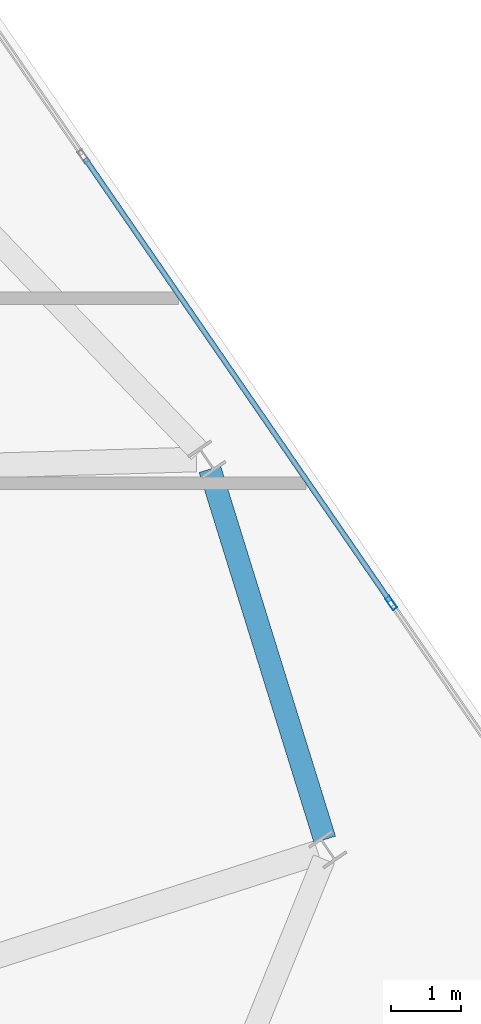
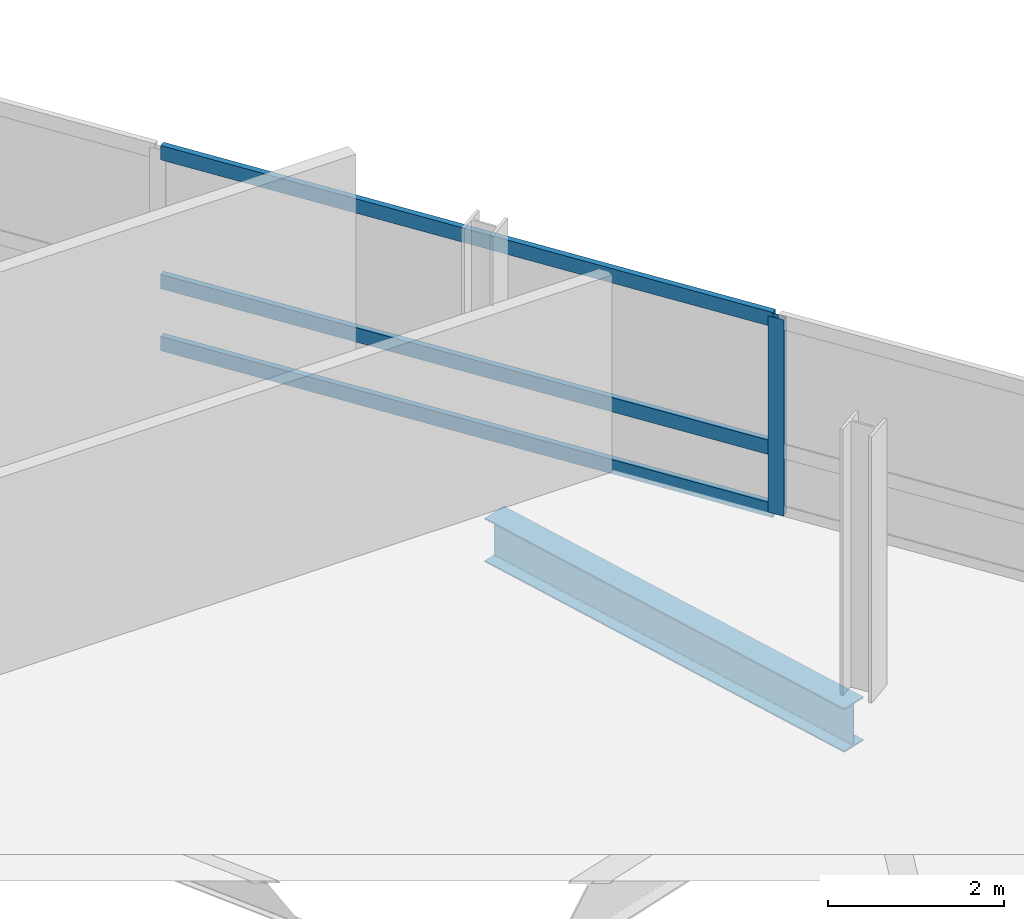
# One storey, part 13 of 23: 4 members, 1 beam, 1 element without a shape of its own.
"""IFC4 building model written with IfcOpenShell, lengths in metres."""

from ifc_helpers import new_model, si_unit, direction, frame, origin, origin_2d, place, context, subcontext, project, spatial, hollow_rectangle, i_section, extrude, material, layer, layer_set, material_profile, profile_set, type_object, element, aggregate, save


model = new_model("IFC4")

# Units and contexts
model_context = context("Model", 3, precision=1e-05, world=origin(), true_north=direction((0.0, 1.0)))
body_context = subcontext(model_context, "Body", "Model", "MODEL_VIEW")
ifc_project = project(units=[si_unit("LENGTHUNIT", "METRE"), si_unit("AREAUNIT", "SQUARE_METRE"), si_unit("VOLUMEUNIT", "CUBIC_METRE"), si_unit("PLANEANGLEUNIT", "RADIAN"), si_unit("MASSUNIT", "GRAM", prefix="KILO")], contexts=[model_context])

# Site, building, storey
site_placement = place(None, origin())
site = spatial("IfcSite", under=ifc_project, at=site_placement, CompositionType="ELEMENT")
building_placement = place(site_placement, origin())
building = spatial("IfcBuilding", under=site, at=building_placement, Name="Varnelok Gate Tower", CompositionType="ELEMENT")
storey_placement = place(building_placement, frame((0.0, 0.0, 273.0)))
storey = spatial("IfcBuildingStorey", under=building, at=storey_placement, Name="L70", CompositionType="ELEMENT", Elevation=273.0)

# Beam
ifc_material_1 = material(Name="Structural Steel ASTM A992 Grade 50", Category="steel")
ifc_material_profile_1 = material_profile(ifc_material_1, i_section(OverallWidth=0.323974609375, OverallDepth=0.611083984375, WebThickness=0.0126953125, FlangeThickness=0.01904296875, FilletRadius=0.01806640625, at=origin_2d()), Name="W24X104")
ifc_profile_set_1 = profile_set([ifc_material_profile_1], Name="Structural Steel ASTM A992 Grade 50")
beam_type = type_object("IfcBeamType", Name="BM-SPN-W24X104", PredefinedType="SPANDREL", material=ifc_profile_set_1)
beam_placement = place(storey_placement, frame((69.8125, 34.1748046875, -0.555419921875), z_axis=(-0.296340003452, 0.955082510757, 0.0), x_axis=(-0.955082510757, -0.296340003452, 0.0)))
element("IfcBeam", 1, at=beam_placement, inside=storey, type_object=beam_type, Name="L70 Perimeter Spandrel Beam 6", PredefinedType="SPANDREL", context=body_context, shape_type="SweptSolid", body=[
    extrude(i_section(OverallWidth=0.323974609375, OverallDepth=0.611083984375, WebThickness=0.0126953125, FlangeThickness=0.01904296875, FilletRadius=0.01806640625, at=origin_2d()), origin(), (0.0, 0.0, 1.0), 5.57666015625),
])

# Curtain wall, members
ifc_material_2 = material(Name="Anodized Aluminum Alloy 6063-T6", Category="aluminium")
ifc_layer = layer(ifc_material_2, 0.179931640625)
ifc_layer_set = layer_set([ifc_layer], Name="Anodized Aluminum Alloy 6063-T6")
curtain_wall_type = type_object("IfcCurtainWallType", Name="CW4-RESIDENCE-VISION", PredefinedType="USERDEFINED", material=ifc_layer_set)
curtain_wall_placement = place(storey_placement, origin())
curtain_wall = element("IfcCurtainWall", 2, at=curtain_wall_placement, inside=storey, type_object=curtain_wall_type, Name="L70 East End Vision Curtain Wall", ObjectType="UNITISED CURTAIN WALL", PredefinedType="USERDEFINED")
ifc_material_profile_2 = material_profile(ifc_material_2, hollow_rectangle(XDim=0.074951171875, YDim=0.199951171875, WallThickness=0.00390625, at=origin_2d()), Name="ALU200X75X4")
ifc_profile_set_2 = profile_set([ifc_material_profile_2], Name="Anodized Aluminum Alloy 6063-T6")
member_type_1 = type_object("IfcMemberType", Name="CW-MULL-200", PredefinedType="MULLION", material=ifc_profile_set_2)
member_1_placement = place(storey_placement, frame((70.768310546875, 37.57373046875, 0.0), z_axis=(0.0, 0.0, 1.0), x_axis=(0.823532290241, 0.567269395376, 0.0)))
member_1 = element("IfcMember", 3, at=member_1_placement, type_object=member_type_1, Name="CW4 mullion 4", PredefinedType="MULLION", context=body_context, shape_type="SweptSolid", body=[
    extrude(hollow_rectangle(XDim=0.074951171875, YDim=0.199951171875, WallThickness=0.00390625, at=origin_2d()), origin(), (0.0, 0.0, 1.0), 2.72998046875),
])
ifc_material_profile_3 = material_profile(ifc_material_2, hollow_rectangle(XDim=0.074951171875, YDim=0.199951171875, WallThickness=0.00390625, at=origin_2d()), Name="ALU200X75X4")
ifc_profile_set_3 = profile_set([ifc_material_profile_3], Name="Anodized Aluminum Alloy 6063-T6")
member_type_2 = type_object("IfcMemberType", Name="CW-TRAN-200", PredefinedType="USERDEFINED", material=ifc_profile_set_3)
member_2_placement = place(storey_placement, frame((66.364990234375, 43.96630859375, 0.03759765625), z_axis=(0.567260941086, -0.823538113701, 0.0), x_axis=(0.823538113701, 0.567260941086, 0.0)))
member_2 = element("IfcMember", 4, at=member_2_placement, type_object=member_type_2, Name="CW4 transom 3.1", ObjectType="TRANSOM", PredefinedType="USERDEFINED", context=body_context, shape_type="SweptSolid", body=[
    extrude(hollow_rectangle(XDim=0.074951171875, YDim=0.199951171875, WallThickness=0.00390625, at=origin_2d()), origin(), (0.0, 0.0, 1.0), 7.72509765625),
])
member_3_placement = place(storey_placement, frame((66.364990234375, 43.96630859375, 0.89990234375), z_axis=(0.567260941086, -0.823538113701, 0.0), x_axis=(0.823538113701, 0.567260941086, 0.0)))
member_3 = element("IfcMember", 5, at=member_3_placement, type_object=member_type_2, Name="CW4 transom 3.2", ObjectType="TRANSOM", PredefinedType="USERDEFINED", context=body_context, shape_type="SweptSolid", body=[
    extrude(hollow_rectangle(XDim=0.074951171875, YDim=0.199951171875, WallThickness=0.00390625, at=origin_2d()), origin(), (0.0, 0.0, 1.0), 7.72509765625),
])
member_4_placement = place(storey_placement, frame((66.364990234375, 43.96630859375, 2.6923828125), z_axis=(0.567260941086, -0.823538113701, 0.0), x_axis=(0.823538113701, 0.567260941086, 0.0)))
member_4 = element("IfcMember", 6, at=member_4_placement, type_object=member_type_2, Name="CW4 transom 3.3", ObjectType="TRANSOM", PredefinedType="USERDEFINED", context=body_context, shape_type="SweptSolid", body=[
    extrude(hollow_rectangle(XDim=0.074951171875, YDim=0.199951171875, WallThickness=0.00390625, at=origin_2d()), origin(), (0.0, 0.0, 1.0), 7.72509765625),
])
aggregate(curtain_wall, [member_1, member_2, member_3, member_4])

save(model, "model.ifc")
